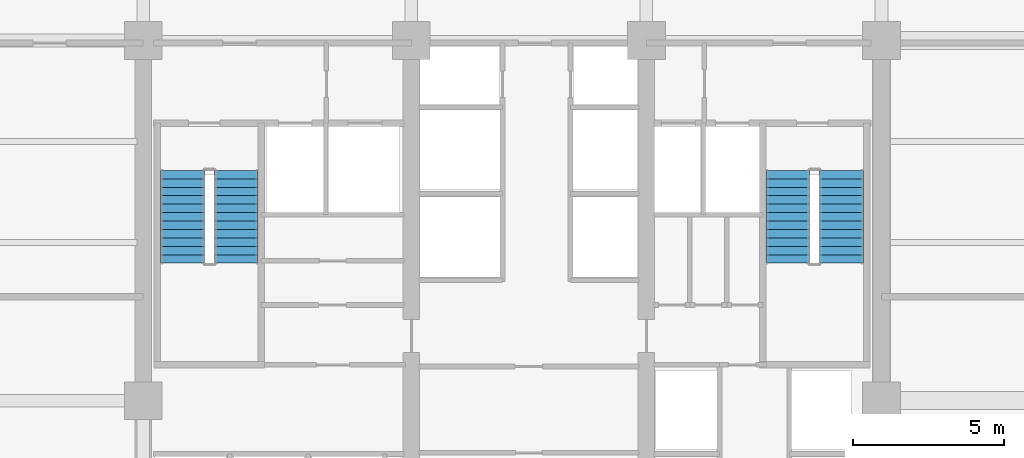
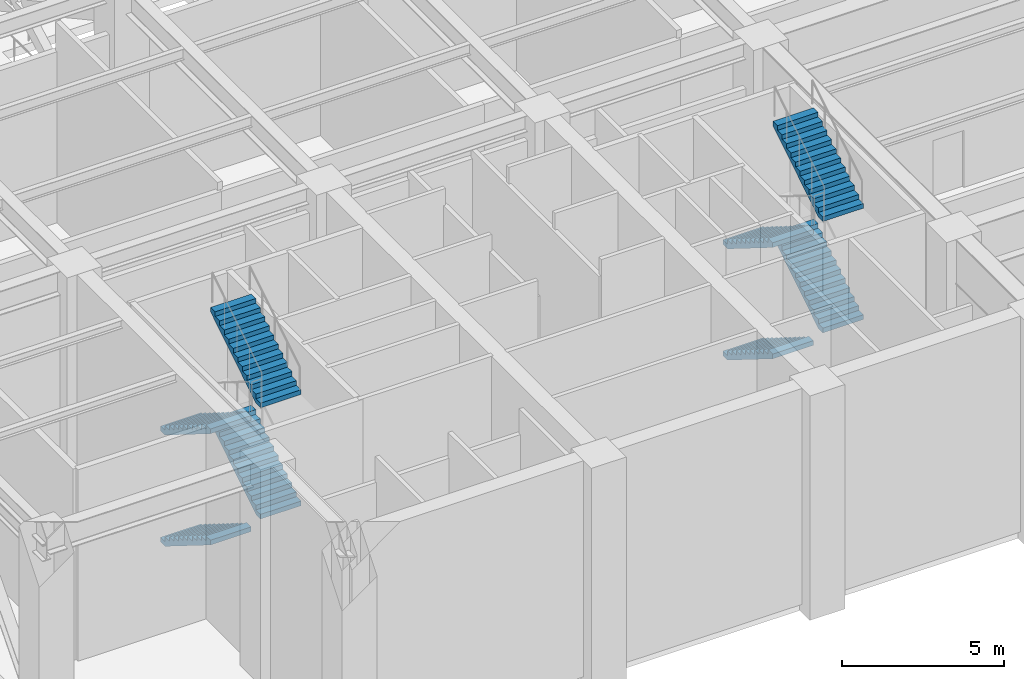
# One storey, part 5 of 7: 8 stair flights, 2 elements without a shape of their own.
"""IFC4 building model written with IfcOpenShell, lengths in metres."""

from ifc_helpers import new_model, si_unit, direction, frame, origin, place, context, subcontext, project, spatial, polyline, outline, extrude, material, layer, layer_set, type_object, element, aggregate, save


model = new_model("IFC4")

# Units and contexts
model_context = context("Model", 3, precision=1e-05, world=origin(), true_north=direction((0.0, 1.0)))
body_context = subcontext(model_context, "Body", "Model", "MODEL_VIEW")
ifc_project = project(units=[si_unit("LENGTHUNIT", "METRE"), si_unit("AREAUNIT", "SQUARE_METRE"), si_unit("VOLUMEUNIT", "CUBIC_METRE"), si_unit("PLANEANGLEUNIT", "RADIAN"), si_unit("MASSUNIT", "GRAM", prefix="KILO")], contexts=[model_context])

# Site, building, storey
site_placement = place(None, origin())
site = spatial("IfcSite", under=ifc_project, at=site_placement, CompositionType="ELEMENT")
building_placement = place(site_placement, origin())
building = spatial("IfcBuilding", under=site, at=building_placement, Name="Qalmaran Belvedere Hotel", CompositionType="ELEMENT")
storey_placement = place(building_placement, frame((0.0, 0.0, 130.199951171875)))
storey = spatial("IfcBuildingStorey", under=building, at=storey_placement, Name="L33", CompositionType="ELEMENT", Elevation=130.199951171875)

# Stair, stair flights
ifc_material = material(Name="Concrete C40/50", Category="concrete")
stair_type_1 = type_object("IfcStairType", Name="STR-ST-1-1450-R1750", PredefinedType="HALF_TURN_STAIR", material=ifc_material)
stair_1_placement = place(storey_placement, origin())
stair_1 = element("IfcStair", 1, at=stair_1_placement, inside=storey, type_object=stair_type_1, Name="L33 West Core Exit Stair ST-1", PredefinedType="HALF_TURN_STAIR")
ifc_layer_1 = layer(ifc_material, 0.14990234375, Name="Concrete C40/50")
ifc_layer_set_1 = layer_set([ifc_layer_1], Name="Concrete C40/50")
stair_flight_type_1 = type_object("IfcStairFlightType", Name="STF-ST-1-1450-R1750", PredefinedType="STRAIGHT", material=ifc_layer_set_1)
stair_flight_1_placement = place(storey_placement, frame((21.60498046875, 16.18994140625, 0.0), z_axis=(0.0, 0.0, 1.0), x_axis=(0.0, -1.0, 0.0)))
stair_flight_1 = element("IfcStairFlight", 2, at=stair_flight_1_placement, type_object=stair_flight_type_1, Name="ST-1 flight 1", NumberOfRisers=12, NumberOfTreads=11, PredefinedType="STRAIGHT", RiserHeight=0.175, TreadLength=0.28, context=body_context, shape_type="SweptSolid", body=[
    extrude(outline(polyline([(0.0, 0.0), (0.0, 0.175048828125), (0.280029296875, 0.175048828125), (0.280029296875, 0.35009765625), (0.56005859375, 0.35009765625), (0.56005859375, 0.52490234375), (0.840087890625, 0.52490234375), (0.840087890625, 0.699951171875), (1.1201171875, 0.699951171875), (1.1201171875, 0.875), (1.39990234375, 0.875), (1.39990234375, 1.050048828125), (1.679931640625, 1.050048828125), (1.679931640625, 1.22509765625), (1.9599609375, 1.22509765625), (1.9599609375, 1.39990234375), (2.239990234375, 1.39990234375), (2.239990234375, 1.574951171875), (2.52001953125, 1.574951171875), (2.52001953125, 1.75), (2.800048828125, 1.75), (2.800048828125, 1.925048828125), (3.080078125, 1.925048828125), (3.080078125, 2.10009765625), (3.080078125, 1.748291015625), (0.28271484375, 0.0), (0.0, 0.0)])), frame((0.0, 0.72509765625, 0.0), z_axis=(0.0, -1.0, 0.0), x_axis=(1.0, 0.0, 0.0)), (0.0, 0.0, 1.0), 1.449951171875),
])
stair_flight_2_placement = place(storey_placement, frame((23.39501953125, 13.110107421875, 2.10009765625), z_axis=(0.0, 0.0, 1.0), x_axis=(0.0, 1.0, 0.0)))
stair_flight_2 = element("IfcStairFlight", 3, at=stair_flight_2_placement, type_object=stair_flight_type_1, Name="ST-1 flight 2", NumberOfRisers=12, NumberOfTreads=11, PredefinedType="STRAIGHT", RiserHeight=0.175, TreadLength=0.28, context=body_context, shape_type="SweptSolid", body=[
    extrude(outline(polyline([(0.0, 0.0), (0.0, 0.175048828125), (0.280029296875, 0.175048828125), (0.280029296875, 0.35009765625), (0.56005859375, 0.35009765625), (0.56005859375, 0.52490234375), (0.840087890625, 0.52490234375), (0.840087890625, 0.699951171875), (1.1201171875, 0.699951171875), (1.1201171875, 0.875), (1.39990234375, 0.875), (1.39990234375, 1.050048828125), (1.679931640625, 1.050048828125), (1.679931640625, 1.22509765625), (1.9599609375, 1.22509765625), (1.9599609375, 1.39990234375), (2.239990234375, 1.39990234375), (2.239990234375, 1.574951171875), (2.52001953125, 1.574951171875), (2.52001953125, 1.75), (2.800048828125, 1.75), (2.800048828125, 1.925048828125), (3.080078125, 1.925048828125), (3.080078125, 2.10009765625), (3.080078125, 1.748291015625), (0.28271484375, 0.0), (0.0, 0.0)])), frame((0.0, 0.72509765625, 0.0), z_axis=(0.0, -1.0, 0.0), x_axis=(1.0, 0.0, 0.0)), (0.0, 0.0, 1.0), 1.449951171875),
])
stair_flight_3_placement = place(storey_placement, frame((21.60498046875, 16.18994140625, 4.199951171875), z_axis=(0.0, 0.0, 1.0), x_axis=(0.0, -1.0, 0.0)))
stair_flight_3 = element("IfcStairFlight", 4, at=stair_flight_3_placement, type_object=stair_flight_type_1, Name="ST-1 flight 3", NumberOfRisers=12, NumberOfTreads=11, PredefinedType="STRAIGHT", RiserHeight=0.175, TreadLength=0.28, context=body_context, shape_type="SweptSolid", body=[
    extrude(outline(polyline([(0.0, 0.0), (0.0, 0.175048828125), (0.280029296875, 0.175048828125), (0.280029296875, 0.35009765625), (0.56005859375, 0.35009765625), (0.56005859375, 0.52490234375), (0.840087890625, 0.52490234375), (0.840087890625, 0.699951171875), (1.1201171875, 0.699951171875), (1.1201171875, 0.875), (1.39990234375, 0.875), (1.39990234375, 1.050048828125), (1.679931640625, 1.050048828125), (1.679931640625, 1.22509765625), (1.9599609375, 1.22509765625), (1.9599609375, 1.39990234375), (2.239990234375, 1.39990234375), (2.239990234375, 1.574951171875), (2.52001953125, 1.574951171875), (2.52001953125, 1.75), (2.800048828125, 1.75), (2.800048828125, 1.925048828125), (3.080078125, 1.925048828125), (3.080078125, 2.10009765625), (3.080078125, 1.748291015625), (0.28271484375, 0.0), (0.0, 0.0)])), frame((0.0, 0.72509765625, 0.0), z_axis=(0.0, -1.0, 0.0), x_axis=(1.0, 0.0, 0.0)), (0.0, 0.0, 1.0), 1.449951171875),
])
stair_flight_4_placement = place(storey_placement, frame((23.39501953125, 13.110107421875, 6.300048828125), z_axis=(0.0, 0.0, 1.0), x_axis=(0.0, 1.0, 0.0)))
stair_flight_4 = element("IfcStairFlight", 5, at=stair_flight_4_placement, type_object=stair_flight_type_1, Name="ST-1 flight 4", NumberOfRisers=12, NumberOfTreads=11, PredefinedType="STRAIGHT", RiserHeight=0.175, TreadLength=0.28, context=body_context, shape_type="SweptSolid", body=[
    extrude(outline(polyline([(0.0, 0.0), (0.0, 0.175048828125), (0.280029296875, 0.175048828125), (0.280029296875, 0.35009765625), (0.56005859375, 0.35009765625), (0.56005859375, 0.52490234375), (0.840087890625, 0.52490234375), (0.840087890625, 0.699951171875), (1.1201171875, 0.699951171875), (1.1201171875, 0.875), (1.39990234375, 0.875), (1.39990234375, 1.050048828125), (1.679931640625, 1.050048828125), (1.679931640625, 1.22509765625), (1.9599609375, 1.22509765625), (1.9599609375, 1.39990234375), (2.239990234375, 1.39990234375), (2.239990234375, 1.574951171875), (2.52001953125, 1.574951171875), (2.52001953125, 1.75), (2.800048828125, 1.75), (2.800048828125, 1.925048828125), (3.080078125, 1.925048828125), (3.080078125, 2.10009765625), (3.080078125, 1.748291015625), (0.28271484375, 0.0), (0.0, 0.0)])), frame((0.0, 0.72509765625, 0.0), z_axis=(0.0, -1.0, 0.0), x_axis=(1.0, 0.0, 0.0)), (0.0, 0.0, 1.0), 1.449951171875),
])
aggregate(stair_1, [stair_flight_1, stair_flight_2, stair_flight_3, stair_flight_4])

stair_type_2 = type_object("IfcStairType", Name="STR-ST-2-1450-R1750", PredefinedType="HALF_TURN_STAIR", material=ifc_material)
stair_2_placement = place(storey_placement, origin())
stair_2 = element("IfcStair", 6, at=stair_2_placement, inside=storey, type_object=stair_type_2, Name="L33 East Core Exit Stair ST-2", PredefinedType="HALF_TURN_STAIR")
ifc_layer_2 = layer(ifc_material, 0.14990234375, Name="Concrete C40/50")
ifc_layer_set_2 = layer_set([ifc_layer_2], Name="Concrete C40/50")
stair_flight_type_2 = type_object("IfcStairFlightType", Name="STF-ST-2-1450-R1750", PredefinedType="STRAIGHT", material=ifc_layer_set_2)
stair_flight_5_placement = place(storey_placement, frame((41.68505859375, 16.18994140625, 0.0), z_axis=(0.0, 0.0, 1.0), x_axis=(0.0, -1.0, 0.0)))
stair_flight_5 = element("IfcStairFlight", 7, at=stair_flight_5_placement, type_object=stair_flight_type_2, Name="ST-2 flight 1", NumberOfRisers=12, NumberOfTreads=11, PredefinedType="STRAIGHT", RiserHeight=0.175, TreadLength=0.28, context=body_context, shape_type="SweptSolid", body=[
    extrude(outline(polyline([(0.0, 0.0), (0.0, 0.175048828125), (0.280029296875, 0.175048828125), (0.280029296875, 0.35009765625), (0.56005859375, 0.35009765625), (0.56005859375, 0.52490234375), (0.840087890625, 0.52490234375), (0.840087890625, 0.699951171875), (1.1201171875, 0.699951171875), (1.1201171875, 0.875), (1.39990234375, 0.875), (1.39990234375, 1.050048828125), (1.679931640625, 1.050048828125), (1.679931640625, 1.22509765625), (1.9599609375, 1.22509765625), (1.9599609375, 1.39990234375), (2.239990234375, 1.39990234375), (2.239990234375, 1.574951171875), (2.52001953125, 1.574951171875), (2.52001953125, 1.75), (2.800048828125, 1.75), (2.800048828125, 1.925048828125), (3.080078125, 1.925048828125), (3.080078125, 2.10009765625), (3.080078125, 1.748291015625), (0.28271484375, 0.0), (0.0, 0.0)])), frame((0.0, 0.72509765625, 0.0), z_axis=(0.0, -1.0, 0.0), x_axis=(1.0, 0.0, 0.0)), (0.0, 0.0, 1.0), 1.449951171875),
])
stair_flight_6_placement = place(storey_placement, frame((43.47509765625, 13.110107421875, 2.10009765625), z_axis=(0.0, 0.0, 1.0), x_axis=(0.0, 1.0, 0.0)))
stair_flight_6 = element("IfcStairFlight", 8, at=stair_flight_6_placement, type_object=stair_flight_type_2, Name="ST-2 flight 2", NumberOfRisers=12, NumberOfTreads=11, PredefinedType="STRAIGHT", RiserHeight=0.175, TreadLength=0.28, context=body_context, shape_type="SweptSolid", body=[
    extrude(outline(polyline([(0.0, 0.0), (0.0, 0.175048828125), (0.280029296875, 0.175048828125), (0.280029296875, 0.35009765625), (0.56005859375, 0.35009765625), (0.56005859375, 0.52490234375), (0.840087890625, 0.52490234375), (0.840087890625, 0.699951171875), (1.1201171875, 0.699951171875), (1.1201171875, 0.875), (1.39990234375, 0.875), (1.39990234375, 1.050048828125), (1.679931640625, 1.050048828125), (1.679931640625, 1.22509765625), (1.9599609375, 1.22509765625), (1.9599609375, 1.39990234375), (2.239990234375, 1.39990234375), (2.239990234375, 1.574951171875), (2.52001953125, 1.574951171875), (2.52001953125, 1.75), (2.800048828125, 1.75), (2.800048828125, 1.925048828125), (3.080078125, 1.925048828125), (3.080078125, 2.10009765625), (3.080078125, 1.748291015625), (0.28271484375, 0.0), (0.0, 0.0)])), frame((0.0, 0.72509765625, 0.0), z_axis=(0.0, -1.0, 0.0), x_axis=(1.0, 0.0, 0.0)), (0.0, 0.0, 1.0), 1.449951171875),
])
stair_flight_7_placement = place(storey_placement, frame((41.68505859375, 16.18994140625, 4.199951171875), z_axis=(0.0, 0.0, 1.0), x_axis=(0.0, -1.0, 0.0)))
stair_flight_7 = element("IfcStairFlight", 9, at=stair_flight_7_placement, type_object=stair_flight_type_2, Name="ST-2 flight 3", NumberOfRisers=12, NumberOfTreads=11, PredefinedType="STRAIGHT", RiserHeight=0.175, TreadLength=0.28, context=body_context, shape_type="SweptSolid", body=[
    extrude(outline(polyline([(0.0, 0.0), (0.0, 0.175048828125), (0.280029296875, 0.175048828125), (0.280029296875, 0.35009765625), (0.56005859375, 0.35009765625), (0.56005859375, 0.52490234375), (0.840087890625, 0.52490234375), (0.840087890625, 0.699951171875), (1.1201171875, 0.699951171875), (1.1201171875, 0.875), (1.39990234375, 0.875), (1.39990234375, 1.050048828125), (1.679931640625, 1.050048828125), (1.679931640625, 1.22509765625), (1.9599609375, 1.22509765625), (1.9599609375, 1.39990234375), (2.239990234375, 1.39990234375), (2.239990234375, 1.574951171875), (2.52001953125, 1.574951171875), (2.52001953125, 1.75), (2.800048828125, 1.75), (2.800048828125, 1.925048828125), (3.080078125, 1.925048828125), (3.080078125, 2.10009765625), (3.080078125, 1.748291015625), (0.28271484375, 0.0), (0.0, 0.0)])), frame((0.0, 0.72509765625, 0.0), z_axis=(0.0, -1.0, 0.0), x_axis=(1.0, 0.0, 0.0)), (0.0, 0.0, 1.0), 1.449951171875),
])
stair_flight_8_placement = place(storey_placement, frame((43.47509765625, 13.110107421875, 6.300048828125), z_axis=(0.0, 0.0, 1.0), x_axis=(0.0, 1.0, 0.0)))
stair_flight_8 = element("IfcStairFlight", 10, at=stair_flight_8_placement, type_object=stair_flight_type_2, Name="ST-2 flight 4", NumberOfRisers=12, NumberOfTreads=11, PredefinedType="STRAIGHT", RiserHeight=0.175, TreadLength=0.28, context=body_context, shape_type="SweptSolid", body=[
    extrude(outline(polyline([(0.0, 0.0), (0.0, 0.175048828125), (0.280029296875, 0.175048828125), (0.280029296875, 0.35009765625), (0.56005859375, 0.35009765625), (0.56005859375, 0.52490234375), (0.840087890625, 0.52490234375), (0.840087890625, 0.699951171875), (1.1201171875, 0.699951171875), (1.1201171875, 0.875), (1.39990234375, 0.875), (1.39990234375, 1.050048828125), (1.679931640625, 1.050048828125), (1.679931640625, 1.22509765625), (1.9599609375, 1.22509765625), (1.9599609375, 1.39990234375), (2.239990234375, 1.39990234375), (2.239990234375, 1.574951171875), (2.52001953125, 1.574951171875), (2.52001953125, 1.75), (2.800048828125, 1.75), (2.800048828125, 1.925048828125), (3.080078125, 1.925048828125), (3.080078125, 2.10009765625), (3.080078125, 1.748291015625), (0.28271484375, 0.0), (0.0, 0.0)])), frame((0.0, 0.72509765625, 0.0), z_axis=(0.0, -1.0, 0.0), x_axis=(1.0, 0.0, 0.0)), (0.0, 0.0, 1.0), 1.449951171875),
])
aggregate(stair_2, [stair_flight_5, stair_flight_6, stair_flight_7, stair_flight_8])

save(model, "model.ifc")
